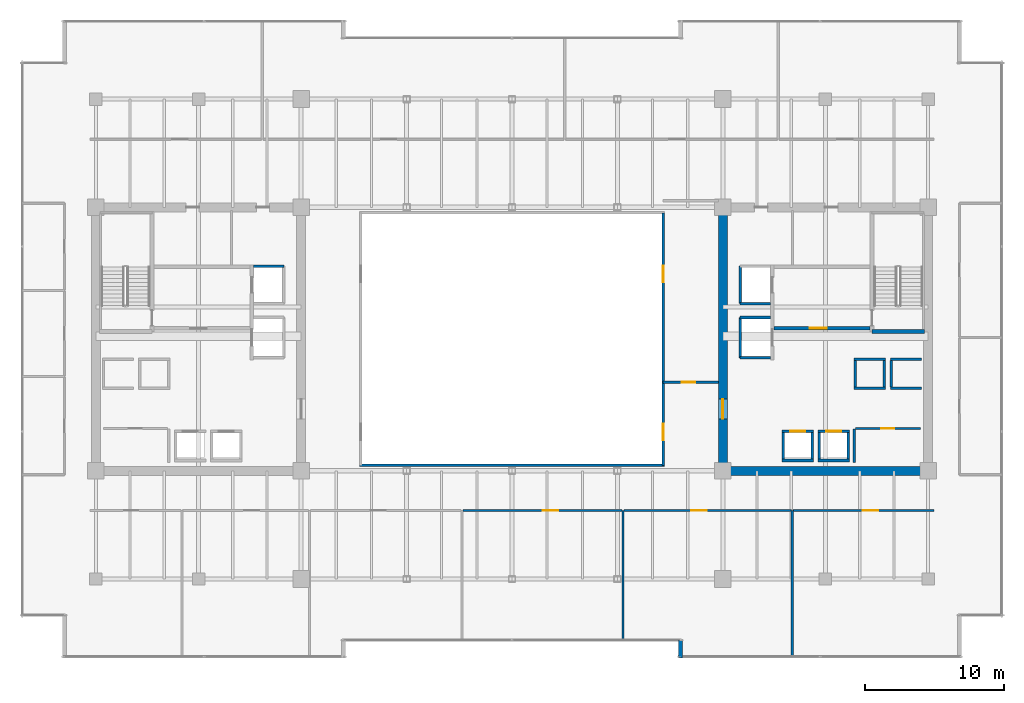
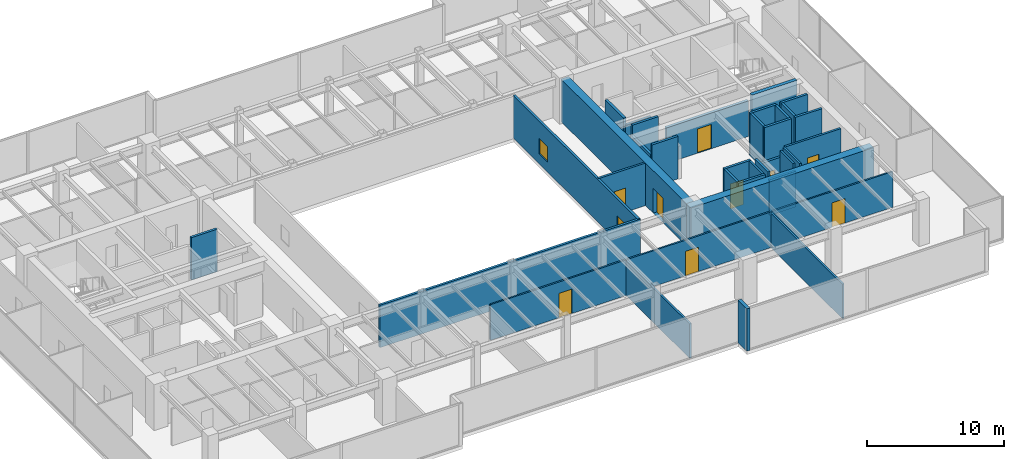
# One storey, part 26 of 30: 36 walls, 9 doors, 2 windows, 11 openings.
"""IFC4 building model written with IfcOpenShell, lengths in metres."""

from ifc_helpers import new_model, si_unit, direction, frame, frame_2d, origin, place, context, subcontext, project, spatial, rectangle, extrude, source, transform, mapped, material, layer, layer_set, type_object, type_shapes, element, fill, save


model = new_model("IFC4")

# Units and contexts
model_context = context("Model", 3, precision=1e-05, world=origin(), true_north=direction((0.0, 1.0)))
body_context = subcontext(model_context, "Body", "Model", "MODEL_VIEW")
ifc_project = project(units=[si_unit("LENGTHUNIT", "METRE"), si_unit("AREAUNIT", "SQUARE_METRE"), si_unit("VOLUMEUNIT", "CUBIC_METRE"), si_unit("PLANEANGLEUNIT", "RADIAN"), si_unit("MASSUNIT", "GRAM", prefix="KILO")], contexts=[model_context])

# Site, building, storey
site_placement = place(None, origin())
site = spatial("IfcSite", under=ifc_project, at=site_placement, CompositionType="ELEMENT")
building_placement = place(site_placement, origin())
building = spatial("IfcBuilding", under=site, at=building_placement, Name="Haelvirn Gate Laboratories", CompositionType="ELEMENT")
storey_placement = place(building_placement, frame((0.0, 0.0, 162.5)))
storey = spatial("IfcBuildingStorey", under=building, at=storey_placement, Name="L39", CompositionType="ELEMENT", Elevation=162.5)

# Walls
ifc_material_1 = material(Name="Thermally-broken bronze aluminium rainscreen & mineral wool", Category="aluminium")
ifc_layer_1 = layer(ifc_material_1, 0.280029296875, Name="EW-TERR-280")
ifc_layer_set_1 = layer_set([ifc_layer_1], Name="Thermally-broken bronze aluminium rainscreen & mineral wool")
wall_type_1 = type_object("IfcWallType", Name="EW-TERR-280", PredefinedType="STANDARD", material=ifc_layer_set_1)
wall_1_placement = place(storey_placement, frame((49.5400390625, 2.587890625, 0.0), z_axis=(0.0, 0.0, 1.0), x_axis=(0.0, -1.0, 0.0)))
element("IfcWall", 1, at=wall_1_placement, inside=storey, type_object=wall_type_1, Name="L39 Atrium Recess Bronze Return Wall 03", PredefinedType="STANDARD", context=body_context, shape_type="SweptSolid", body=[
    extrude(rectangle(XDim=1.287841796875, YDim=0.280029296875, at=frame_2d((0.64404296875, 0.0))), origin(), (0.0, 0.0, 1.0), 3.7900390625),
])
ifc_material_2 = material(Name="Double-layer acoustic gypsum laboratory partition", Category="gypsum")
ifc_layer_2 = layer(ifc_material_2, 0.159912109375, Name="IW-ACOUST-160")
ifc_layer_set_2 = layer_set([ifc_layer_2], Name="Double-layer acoustic gypsum laboratory partition")
wall_type_2 = type_object("IfcWallType", Name="IW-ACOUST-160", PredefinedType="PARTITIONING", material=ifc_layer_set_2)
wall_2_placement = place(storey_placement, frame((45.39990234375, 2.610107421875, 0.0), z_axis=(0.0, 0.0, 1.0), x_axis=(0.0, 1.0, 0.0)))
element("IfcWall", 2, at=wall_2_placement, inside=storey, type_object=wall_type_2, Name="L39 Interior Wall IW-L39-SDIV-04", PredefinedType="PARTITIONING", context=body_context, shape_type="SweptSolid", body=[
    extrude(rectangle(XDim=9.329833984375, YDim=0.159912109375, at=frame_2d((4.6650390625, 0.0))), origin(), (0.0, 0.0, 1.0), 3.074951171875),
])
wall_3_placement = place(storey_placement, frame((57.60009765625, 1.409912109375, 0.0), z_axis=(0.0, 0.0, 1.0), x_axis=(0.0, 1.0, 0.0)))
element("IfcWall", 3, at=wall_3_placement, inside=storey, type_object=wall_type_2, Name="L39 Interior Wall IW-L39-SDIV-05", PredefinedType="PARTITIONING", context=body_context, shape_type="SweptSolid", body=[
    extrude(rectangle(XDim=10.530029296875, YDim=0.159912109375, at=frame_2d((5.26513671875, 0.0))), origin(), (0.0, 0.0, 1.0), 3.074951171875),
])

# Wall, opening, door
ifc_material_3 = material(Name="Fire-rated acoustic gypsum board partition", Category="gypsum")
ifc_layer_3 = layer(ifc_material_3, 0.175048828125, Name="IW-ACOUST-180")
ifc_layer_set_3 = layer_set([ifc_layer_3], Name="Fire-rated acoustic gypsum board partition")
wall_type_3 = type_object("IfcWallType", Name="IW-ACOUST-180", PredefinedType="PARTITIONING", material=ifc_layer_set_3)
wall_4_placement = place(storey_placement, frame((48.300048828125, 21.179931640625, 0.0), z_axis=(0.0, 0.0, 1.0), x_axis=(1.0, 0.0, 0.0)))
wall_4 = element("IfcWall", 4, at=wall_4_placement, inside=storey, type_object=wall_type_3, Name="L39 Interior Wall IW-L39-ASEM-S", PredefinedType="PARTITIONING", context=body_context, shape_type="SweptSolid", body=[
    extrude(rectangle(XDim=3.974853515625, YDim=0.175048828125, at=frame_2d((1.9873046875, 0.0))), origin(), (0.0, 0.0, 1.0), 3.7900390625),
])
opening_1_placement = place(wall_4_placement, frame((1.35009765625, 0.0, 0.0)))
opening_1 = element("IfcOpeningElement", 5, at=opening_1_placement, cuts=wall_4, Name="Opening FD4", PredefinedType="OPENING", context=body_context, shape_type="SweptSolid", body=[
    extrude(rectangle(XDim=0.949951171875, YDim=2.14990234375, at=frame_2d((0.47509765625, 1.074951171875))), frame((0.0, 0.09765625, 0.0), z_axis=(0.0, -1.0, 0.0), x_axis=(1.0, 0.0, 0.0)), (0.0, 0.0, 1.0), 0.195068359375),
])
ifc_material_4 = material(Name="Fire-rated steel SM355 core service door", Category="steel")
door_type_1 = type_object("IfcDoorType", Name="DR-FD-950", OperationType="NOTDEFINED", PredefinedType="DOOR", material=ifc_material_4)
shared_shape_1 = source(origin(), body_context, "Body", "SweptSolid", [
    extrude(rectangle(XDim=0.949951171875, YDim=2.14990234375, at=frame_2d((0.47509765625, 1.074951171875))), frame((0.0, 0.02490234375, 0.0), z_axis=(0.0, -1.0, 0.0), x_axis=(1.0, 0.0, 0.0)), (0.0, 0.0, 1.0), 0.050048828125),
])
type_shapes(door_type_1, [shared_shape_1])
door_1_placement = place(opening_1_placement, origin())
door_1 = element("IfcDoor", 6, at=door_1_placement, inside=storey, type_object=door_type_1, Name="L39 Atrium Bioinformatics Suite Door", OperationType="SINGLE_SWING_LEFT", OverallHeight=2.14990234375, OverallWidth=0.949951171875, PredefinedType="DOOR", context=body_context, shape_type="MappedRepresentation", body=[
    mapped(shared_shape_1, transform((0.0, 0.0, 0.0), scale=1.0)),
])
fill(opening_1, door_1)

# Wall, openings, windows
ifc_material_5 = material(Name="Tempered fire-rated borosilicate glass & anodised aluminium", Category="aluminium")
ifc_layer_4 = layer(ifc_material_5, 0.195068359375, Name="IW-GLAZ-200")
ifc_layer_set_4 = layer_set([ifc_layer_4], Name="Tempered fire-rated borosilicate glass & anodised aluminium")
wall_type_4 = type_object("IfcWallType", Name="IW-GLAZ-200", PredefinedType="SOLIDWALL", material=ifc_layer_set_4)
wall_5_placement = place(storey_placement, frame((48.300048828125, 15.199951171875, 0.0), z_axis=(0.0, 0.0, 1.0), x_axis=(0.0, 1.0, 0.0)))
wall_5 = element("IfcWall", 7, at=wall_5_placement, inside=storey, type_object=wall_type_4, Name="L39 Interior Wall IW-L39-ATRIUM-E", PredefinedType="SOLIDWALL", context=body_context, shape_type="SweptSolid", body=[
    extrude(rectangle(XDim=18.199951171875, YDim=0.195068359375, at=frame_2d((9.10009765625, 0.0))), origin(), (0.0, 0.0, 1.0), 3.7900390625),
])
opening_2_placement = place(wall_5_placement, frame((1.800048828125, 0.0, 0.89990234375)))
opening_2 = element("IfcOpeningElement", 8, at=opening_2_placement, cuts=wall_5, Name="Opening W6", PredefinedType="OPENING", context=body_context, shape_type="SweptSolid", body=[
    extrude(rectangle(XDim=1.199951171875, YDim=1.35009765625, at=frame_2d((0.60009765625, 0.675048828125))), frame((0.0, 0.107421875, 0.0), z_axis=(0.0, -1.0, 0.0), x_axis=(1.0, 0.0, 0.0)), (0.0, 0.0, 1.0), 0.215087890625),
])
opening_3_placement = place(wall_5_placement, frame((13.199951171875, 0.0, 0.89990234375)))
opening_3 = element("IfcOpeningElement", 9, at=opening_3_placement, cuts=wall_5, Name="Opening W6", PredefinedType="OPENING", context=body_context, shape_type="SweptSolid", body=[
    extrude(rectangle(XDim=1.199951171875, YDim=1.35009765625, at=frame_2d((0.60009765625, 0.675048828125))), frame((0.0, 0.107421875, 0.0), z_axis=(0.0, -1.0, 0.0), x_axis=(1.0, 0.0, 0.0)), (0.0, 0.0, 1.0), 0.215087890625),
])
ifc_material_6 = material(Name="Fire-rated EI 120 borosilicate atrium vision glazing", Category="glass")
window_type = type_object("IfcWindowType", Name="WN-ATR-1200", PartitioningType="SINGLE_PANEL", PredefinedType="WINDOW", material=ifc_material_6)
shared_shape_2 = source(origin(), body_context, "Body", "SweptSolid", [
    extrude(rectangle(XDim=1.199951171875, YDim=1.35009765625, at=frame_2d((0.60009765625, 0.675048828125))), frame((0.0, 0.030029296875, 0.0), z_axis=(0.0, -1.0, 0.0), x_axis=(1.0, 0.0, 0.0)), (0.0, 0.0, 1.0), 0.06005859375),
])
type_shapes(window_type, [shared_shape_2])
window_1_placement = place(opening_2_placement, origin())
window_1 = element("IfcWindow", 10, at=window_1_placement, inside=storey, type_object=window_type, Name="L39 Atrium Observation Window 1", OverallHeight=1.35009765625, OverallWidth=1.199951171875, PartitioningType="SINGLE_PANEL", PredefinedType="WINDOW", context=body_context, shape_type="MappedRepresentation", body=[
    mapped(shared_shape_2, transform((0.0, 0.0, 0.0), scale=1.0)),
])
fill(opening_2, window_1)
window_2_placement = place(opening_3_placement, origin())
window_2 = element("IfcWindow", 11, at=window_2_placement, inside=storey, type_object=window_type, Name="L39 Atrium Observation Window 2", OverallHeight=1.35009765625, OverallWidth=1.199951171875, PartitioningType="SINGLE_PANEL", PredefinedType="WINDOW", context=body_context, shape_type="MappedRepresentation", body=[
    mapped(shared_shape_2, transform((0.0, 0.0, 0.0), scale=1.0)),
])
fill(opening_3, window_2)

# Wall
wall_6_placement = place(storey_placement, frame((26.39990234375, 15.199951171875, 0.0), z_axis=(0.0, 0.0, 1.0), x_axis=(1.0, 0.0, 0.0)))
element("IfcWall", 12, at=wall_6_placement, inside=storey, type_object=wall_type_4, Name="L39 Interior Wall IW-L39-ATRIUM-S", PredefinedType="SOLIDWALL", context=body_context, shape_type="SweptSolid", body=[
    extrude(rectangle(XDim=22.0, YDim=0.195068359375, at=frame_2d((11.0, 0.0))), origin(), (0.0, 0.0, 1.0), 3.7900390625),
])

# Wall, opening, door
ifc_material_7 = material(Name="Acoustic mineral-wool gypsum board partition", Category="gypsum")
ifc_layer_5 = layer(ifc_material_7, 0.139892578125, Name="IW-PART-140")
ifc_layer_set_5 = layer_set([ifc_layer_5], Name="Acoustic mineral-wool gypsum board partition")
wall_type_5 = type_object("IfcWallType", Name="IW-PART-140", PredefinedType="PARTITIONING", material=ifc_layer_set_5)
wall_7_placement = place(storey_placement, frame((33.8798828125, 11.93994140625, 0.0), z_axis=(0.0, 0.0, 1.0), x_axis=(1.0, 0.0, 0.0)))
wall_7 = element("IfcWall", 13, at=wall_7_placement, inside=storey, type_object=wall_type_5, Name="L39 Interior Wall IW-L39-SCORR-04", PredefinedType="PARTITIONING", context=body_context, shape_type="SweptSolid", body=[
    extrude(rectangle(XDim=11.440185546875, YDim=0.139892578125, at=frame_2d((5.72021484375, 0.0))), origin(), (0.0, 0.0, 1.0), 3.18701171875),
])
opening_4_placement = place(wall_7_placement, frame((5.748291015625, 0.0, 0.0)))
opening_4 = element("IfcOpeningElement", 14, at=opening_4_placement, cuts=wall_7, Name="Opening D1", PredefinedType="OPENING", context=body_context, shape_type="SweptSolid", body=[
    extrude(rectangle(XDim=1.10009765625, YDim=2.179931640625, at=frame_2d((0.550048828125, 1.08984375))), frame((0.0, 0.080078125, 0.0), z_axis=(0.0, -1.0, 0.0), x_axis=(1.0, 0.0, 0.0)), (0.0, 0.0, 1.0), 0.159912109375),
])
ifc_material_8 = material(Name="Vision-panel acoustic solid-core timber lab door", Category="wood")
door_type_2 = type_object("IfcDoorType", Name="DR-LAB-1100", OperationType="NOTDEFINED", PredefinedType="DOOR", material=ifc_material_8)
shared_shape_3 = source(origin(), body_context, "Body", "SweptSolid", [
    extrude(rectangle(XDim=1.10009765625, YDim=2.179931640625, at=frame_2d((0.550048828125, 1.08984375))), frame((0.0, 0.02490234375, 0.0), z_axis=(0.0, -1.0, 0.0), x_axis=(1.0, 0.0, 0.0)), (0.0, 0.0, 1.0), 0.050048828125),
])
type_shapes(door_type_2, [shared_shape_3])
door_2_placement = place(opening_4_placement, origin())
door_2 = element("IfcDoor", 15, at=door_2_placement, inside=storey, type_object=door_type_2, Name="L39 Colloquium Conference Room Door S4", OperationType="SINGLE_SWING_LEFT", OverallHeight=2.179931640625, OverallWidth=1.10009765625, PredefinedType="DOOR", context=body_context, shape_type="MappedRepresentation", body=[
    mapped(shared_shape_3, transform((0.0, 0.0, 0.0), scale=1.0)),
])
fill(opening_4, door_2)

wall_8_placement = place(storey_placement, frame((45.47998046875, 11.93994140625, 0.0), z_axis=(0.0, 0.0, 1.0), x_axis=(1.0, 0.0, 0.0)))
wall_8 = element("IfcWall", 16, at=wall_8_placement, inside=storey, type_object=wall_type_5, Name="L39 Interior Wall IW-L39-SCORR-05", PredefinedType="PARTITIONING", context=body_context, shape_type="SweptSolid", body=[
    extrude(rectangle(XDim=12.0400390625, YDim=0.139892578125, at=frame_2d((6.02001953125, 0.0))), origin(), (0.0, 0.0, 1.0), 3.18701171875),
])
opening_5_placement = place(wall_8_placement, frame((4.855712890625, 0.0, 0.0)))
opening_5 = element("IfcOpeningElement", 17, at=opening_5_placement, cuts=wall_8, Name="Opening D1", PredefinedType="OPENING", context=body_context, shape_type="SweptSolid", body=[
    extrude(rectangle(XDim=1.10009765625, YDim=2.179931640625, at=frame_2d((0.550048828125, 1.08984375))), frame((0.0, 0.080078125, 0.0), z_axis=(0.0, -1.0, 0.0), x_axis=(1.0, 0.0, 0.0)), (0.0, 0.0, 1.0), 0.159912109375),
])
door_3_placement = place(opening_5_placement, origin())
door_3 = element("IfcDoor", 18, at=door_3_placement, inside=storey, type_object=door_type_2, Name="L39 Protocol Briefing Training Room Door S5", OperationType="SINGLE_SWING_RIGHT", OverallHeight=2.179931640625, OverallWidth=1.10009765625, PredefinedType="DOOR", context=body_context, shape_type="MappedRepresentation", body=[
    mapped(shared_shape_3, transform((0.0, 0.0, 0.0), scale=1.0)),
])
fill(opening_5, door_3)

wall_9_placement = place(storey_placement, frame((57.679931640625, 11.93994140625, 0.0), z_axis=(0.0, 0.0, 1.0), x_axis=(1.0, 0.0, 0.0)))
wall_9 = element("IfcWall", 19, at=wall_9_placement, inside=storey, type_object=wall_type_5, Name="L39 Interior Wall IW-L39-SCORR-06", PredefinedType="PARTITIONING", context=body_context, shape_type="SweptSolid", body=[
    extrude(rectangle(XDim=10.14013671875, YDim=0.139892578125, at=frame_2d((5.070068359375, 0.0))), origin(), (0.0, 0.0, 1.0), 3.18701171875),
])
opening_6_placement = place(wall_9_placement, frame((5.0205078125, 0.0, 0.0)))
opening_6 = element("IfcOpeningElement", 20, at=opening_6_placement, cuts=wall_9, Name="Opening D1", PredefinedType="OPENING", context=body_context, shape_type="SweptSolid", body=[
    extrude(rectangle(XDim=1.10009765625, YDim=2.179931640625, at=frame_2d((0.550048828125, 1.08984375))), frame((0.0, 0.080078125, 0.0), z_axis=(0.0, -1.0, 0.0), x_axis=(1.0, 0.0, 0.0)), (0.0, 0.0, 1.0), 0.159912109375),
])
door_4_placement = place(opening_6_placement, origin())
door_4 = element("IfcDoor", 21, at=door_4_placement, inside=storey, type_object=door_type_2, Name="L39 Peer-Review Seminar Room Door S6", OperationType="SINGLE_SWING_LEFT", OverallHeight=2.179931640625, OverallWidth=1.10009765625, PredefinedType="DOOR", context=body_context, shape_type="MappedRepresentation", body=[
    mapped(shared_shape_3, transform((0.0, 0.0, 0.0), scale=1.0)),
])
fill(opening_6, door_4)

# Walls
ifc_material_9 = material(Name="Concrete C40/50", Category="concrete")
ifc_layer_6 = layer(ifc_material_9, 0.179931640625, Name="IW-SHAFT-180")
ifc_layer_set_6 = layer_set([ifc_layer_6], Name="Concrete C40/50")
wall_type_6 = type_object("IfcWallType", Name="IW-SHAFT-180", PredefinedType="SOLIDWALL", material=ifc_layer_set_6)
for number, where, z_axis, x_axis, name in (
    (22, (59.550048828125, 15.64990234375, 0.0), (0.0, 0.0, 1.0), (0.0, 1.0, 0.0), "L39 Interior Wall IW-L39-PL7-SD"),
    (23, (61.64990234375, 15.64990234375, 0.0), (0.0, 0.0, 1.0), (0.0, 1.0, 0.0), "L39 Interior Wall IW-L39-PL7-SDE"),
    (24, (56.949951171875, 15.64990234375, 0.0), (0.0, 0.0, 1.0), (0.0, 1.0, 0.0), "L39 Interior Wall IW-L39-PL8-SD"),
    (25, (59.050048828125, 15.64990234375, 0.0), (0.0, 0.0, 1.0), (0.0, 1.0, 0.0), "L39 Interior Wall IW-L39-PL8-SDE"),
):
    element("IfcWall", number, at=place(storey_placement, frame(where, z_axis=z_axis, x_axis=x_axis)), inside=storey, type_object=wall_type_6, Name=name, PredefinedType="SOLIDWALL", context=body_context, shape_type="SweptSolid", body=[
        extrude(rectangle(XDim=1.900146484375, YDim=0.179931640625, at=frame_2d((0.9501953125, 0.0))), origin(), (0.0, 0.0, 1.0), 3.7900390625),
    ])
for number, where, z_axis, x_axis, name in (
    (26, (64.75, 20.85009765625, 0.0), (0.0, 0.0, 1.0), (0.0, 1.0, 0.0), "L39 Interior Wall IW-L39-PL11-SD"),
    (27, (62.14990234375, 20.85009765625, 0.0), (0.0, 0.0, 1.0), (0.0, 1.0, 0.0), "L39 Interior Wall IW-L39-PL12-SD"),
    (28, (64.25, 20.85009765625, 0.0), (0.0, 0.0, 1.0), (0.0, 1.0, 0.0), "L39 Interior Wall IW-L39-PL12-SDE"),
):
    element("IfcWall", number, at=place(storey_placement, frame(where, z_axis=z_axis, x_axis=x_axis)), inside=storey, type_object=wall_type_6, Name=name, PredefinedType="SOLIDWALL", context=body_context, shape_type="SweptSolid", body=[
        extrude(rectangle(XDim=1.89990234375, YDim=0.179931640625, at=frame_2d((0.949951171875, 0.0))), origin(), (0.0, 0.0, 1.0), 3.7900390625),
    ])

# Wall, opening, door
wall_10_placement = place(storey_placement, frame((62.14990234375, 17.85009765625, 0.0), z_axis=(0.0, 0.0, 1.0), x_axis=(1.0, 0.0, 0.0)))
wall_10 = element("IfcWall", 29, at=wall_10_placement, inside=storey, type_object=wall_type_6, Name="L39 Interior Wall IW-L39-E-FREED-LN-1", PredefinedType="SOLIDWALL", context=body_context, shape_type="SweptSolid", body=[
    extrude(rectangle(XDim=4.7001953125, YDim=0.179931640625, at=frame_2d((2.35009765625, 0.0))), origin(), (0.0, 0.0, 1.0), 3.7900390625),
])
opening_7_placement = place(wall_10_placement, frame((1.875, 0.0, 0.0)))
opening_7 = element("IfcOpeningElement", 30, at=opening_7_placement, cuts=wall_10, Name="Opening FD4", PredefinedType="OPENING", context=body_context, shape_type="SweptSolid", body=[
    extrude(rectangle(XDim=0.949951171875, YDim=2.14990234375, at=frame_2d((0.47509765625, 1.074951171875))), frame((0.0, 0.10009765625, 0.0), z_axis=(0.0, -1.0, 0.0), x_axis=(1.0, 0.0, 0.0)), (0.0, 0.0, 1.0), 0.199951171875),
])
door_5_placement = place(opening_7_placement, origin())
door_5 = element("IfcDoor", 31, at=door_5_placement, inside=storey, type_object=door_type_1, Name="L39 Cryogenic Specimen Biobank Door", OperationType="SINGLE_SWING_LEFT", OverallHeight=2.14990234375, OverallWidth=0.949951171875, PredefinedType="DOOR", context=body_context, shape_type="MappedRepresentation", body=[
    mapped(shared_shape_1, transform((0.0, 0.0, 0.0), scale=1.0)),
])
fill(opening_7, door_5)

# Walls
wall_11_placement = place(storey_placement, frame((62.06005859375, 15.39990234375, 0.0), z_axis=(0.0, 0.0, 1.0), x_axis=(0.0, 1.0, 0.0)))
element("IfcWall", 32, at=wall_11_placement, inside=storey, type_object=wall_type_6, Name="L39 Interior Wall IW-L39-E-FREED-LE-1", PredefinedType="SOLIDWALL", context=body_context, shape_type="SweptSolid", body=[
    extrude(rectangle(XDim=2.400146484375, YDim=0.179931640625, at=frame_2d((1.2001953125, 0.0))), origin(), (0.0, 0.0, 1.0), 3.7900390625),
])
ifc_layer_7 = layer(ifc_material_9, 0.199951171875, Name="IW-SHAFT-200")
ifc_layer_set_7 = layer_set([ifc_layer_7], Name="Concrete C40/50")
wall_type_7 = type_object("IfcWallType", Name="IW-SHAFT-200", PredefinedType="SOLIDWALL", material=ifc_layer_set_7)
wall_12_placement = place(storey_placement, frame((18.760009765625, 29.550048828125, 0.0), z_axis=(0.0, 0.0, 1.0), x_axis=(1.0, 0.0, 0.0)))
element("IfcWall", 33, at=wall_12_placement, inside=storey, type_object=wall_type_7, Name="L39 Interior Wall IW-L39-FL1-N", PredefinedType="SOLIDWALL", context=body_context, shape_type="SweptSolid", body=[
    extrude(rectangle(XDim=2.18994140625, YDim=0.199951171875, at=frame_2d((1.094970703125, 0.0))), origin(), (0.0, 0.0, 1.0), 3.7900390625),
])

# Wall, opening, door
wall_13_placement = place(storey_placement, frame((59.469970703125, 17.64990234375, 0.0), z_axis=(0.0, 0.0, 1.0), x_axis=(1.0, 0.0, 0.0)))
wall_13 = element("IfcWall", 34, at=wall_13_placement, inside=storey, type_object=wall_type_7, Name="L39 Interior Wall IW-L39-PL7-FR", PredefinedType="SOLIDWALL", context=body_context, shape_type="SweptSolid", body=[
    extrude(rectangle(XDim=2.260009765625, YDim=0.199951171875, at=frame_2d((1.1298828125, 0.0))), origin(), (0.0, 0.0, 1.0), 3.18701171875),
])
opening_8_placement = place(wall_13_placement, frame((0.580078125, 0.0, 0.0)))
opening_8 = element("IfcOpeningElement", 35, at=opening_8_placement, cuts=wall_13, Name="Opening LD2", PredefinedType="OPENING", context=body_context, shape_type="SweptSolid", body=[
    extrude(rectangle(XDim=1.10009765625, YDim=2.219970703125, at=frame_2d((0.550048828125, 1.10986328125))), frame((0.0, 0.10986328125, 0.0), z_axis=(0.0, -1.0, 0.0), x_axis=(1.0, 0.0, 0.0)), (0.0, 0.0, 1.0), 0.219970703125),
])
ifc_material_10 = material(Name="Bronze stainless 316L sliding lift landing door")
door_type_3 = type_object("IfcDoorType", Name="DR-LD-1100", OperationType="NOTDEFINED", PredefinedType="USERDEFINED", material=ifc_material_10)
shared_shape_4 = source(origin(), body_context, "Body", "SweptSolid", [
    extrude(rectangle(XDim=1.10009765625, YDim=2.219970703125, at=frame_2d((0.550048828125, 1.10986328125))), frame((0.0, 0.02490234375, 0.0), z_axis=(0.0, -1.0, 0.0), x_axis=(1.0, 0.0, 0.0)), (0.0, 0.0, 1.0), 0.050048828125),
])
type_shapes(door_type_3, [shared_shape_4])
door_6_placement = place(opening_8_placement, origin())
door_6 = element("IfcDoor", 36, at=door_6_placement, inside=storey, type_object=door_type_3, Name="L39 Passenger Lift PL7 Landing Door", ObjectType="LANDING_DOOR", OperationType="SLIDING_TO_LEFT", OverallHeight=2.219970703125, OverallWidth=1.10009765625, PredefinedType="USERDEFINED", context=body_context, shape_type="MappedRepresentation", body=[
    mapped(shared_shape_4, transform((0.0, 0.0, 0.0), scale=1.0)),
])
fill(opening_8, door_6)

# Wall
wall_14_placement = place(storey_placement, frame((59.469970703125, 15.550048828125, 0.0), z_axis=(0.0, 0.0, 1.0), x_axis=(1.0, 0.0, 0.0)))
element("IfcWall", 37, at=wall_14_placement, inside=storey, type_object=wall_type_7, Name="L39 Interior Wall IW-L39-PL7-BK", PredefinedType="SOLIDWALL", context=body_context, shape_type="SweptSolid", body=[
    extrude(rectangle(XDim=2.260009765625, YDim=0.199951171875, at=frame_2d((1.1298828125, 0.0))), origin(), (0.0, 0.0, 1.0), 3.18701171875),
])

# Wall, opening, door
wall_15_placement = place(storey_placement, frame((56.8701171875, 17.64990234375, 0.0), z_axis=(0.0, 0.0, 1.0), x_axis=(1.0, 0.0, 0.0)))
wall_15 = element("IfcWall", 38, at=wall_15_placement, inside=storey, type_object=wall_type_7, Name="L39 Interior Wall IW-L39-PL8-FR", PredefinedType="SOLIDWALL", context=body_context, shape_type="SweptSolid", body=[
    extrude(rectangle(XDim=2.259765625, YDim=0.199951171875, at=frame_2d((1.1298828125, 0.0))), origin(), (0.0, 0.0, 1.0), 3.7900390625),
])
opening_9_placement = place(wall_15_placement, frame((0.580078125, 0.0, 0.0)))
opening_9 = element("IfcOpeningElement", 39, at=opening_9_placement, cuts=wall_15, Name="Opening LD2", PredefinedType="OPENING", context=body_context, shape_type="SweptSolid", body=[
    extrude(rectangle(XDim=1.10009765625, YDim=2.219970703125, at=frame_2d((0.550048828125, 1.10986328125))), frame((0.0, 0.10986328125, 0.0), z_axis=(0.0, -1.0, 0.0), x_axis=(1.0, 0.0, 0.0)), (0.0, 0.0, 1.0), 0.219970703125),
])
door_7_placement = place(opening_9_placement, origin())
door_7 = element("IfcDoor", 40, at=door_7_placement, inside=storey, type_object=door_type_3, Name="L39 Passenger Lift PL8 Landing Door", ObjectType="LANDING_DOOR", OperationType="SLIDING_TO_RIGHT", OverallHeight=2.219970703125, OverallWidth=1.10009765625, PredefinedType="USERDEFINED", context=body_context, shape_type="MappedRepresentation", body=[
    mapped(shared_shape_4, transform((0.0, 0.0, 0.0), scale=1.0)),
])
fill(opening_9, door_7)

# Walls
wall_16_placement = place(storey_placement, frame((56.8701171875, 15.550048828125, 0.0), z_axis=(0.0, 0.0, 1.0), x_axis=(1.0, 0.0, 0.0)))
element("IfcWall", 41, at=wall_16_placement, inside=storey, type_object=wall_type_7, Name="L39 Interior Wall IW-L39-PL8-BK", PredefinedType="SOLIDWALL", context=body_context, shape_type="SweptSolid", body=[
    extrude(rectangle(XDim=2.259765625, YDim=0.199951171875, at=frame_2d((1.1298828125, 0.0))), origin(), (0.0, 0.0, 1.0), 3.7900390625),
])
for number, where, z_axis, x_axis, name in (
    (42, (64.669921875, 20.75, 0.0), (0.0, 0.0, 1.0), (1.0, 0.0, 0.0), "L39 Interior Wall IW-L39-PL11-FR"),
    (43, (64.669921875, 22.85009765625, 0.0), (0.0, 0.0, 1.0), (1.0, 0.0, 0.0), "L39 Interior Wall IW-L39-PL11-BK"),
    (44, (62.070068359375, 20.75, 0.0), (0.0, 0.0, 1.0), (1.0, 0.0, 0.0), "L39 Interior Wall IW-L39-PL12-FR"),
    (45, (62.070068359375, 22.85009765625, 0.0), (0.0, 0.0, 1.0), (1.0, 0.0, 0.0), "L39 Interior Wall IW-L39-PL12-BK"),
):
    element("IfcWall", number, at=place(storey_placement, frame(where, z_axis=z_axis, x_axis=x_axis)), inside=storey, type_object=wall_type_7, Name=name, PredefinedType="SOLIDWALL", context=body_context, shape_type="SweptSolid", body=[
        extrude(rectangle(XDim=2.260009765625, YDim=0.199951171875, at=frame_2d((1.1298828125, 0.0))), origin(), (0.0, 0.0, 1.0), 3.7900390625),
    ])
wall_17_placement = place(storey_placement, frame((53.85009765625, 26.85009765625, 0.0), z_axis=(0.0, 0.0, 1.0), x_axis=(0.0, 1.0, 0.0)))
element("IfcWall", 46, at=wall_17_placement, inside=storey, type_object=wall_type_7, Name="L39 Interior Wall IW-L39-FL2-BK", PredefinedType="SOLIDWALL", context=body_context, shape_type="SweptSolid", body=[
    extrude(rectangle(XDim=2.699951171875, YDim=0.199951171875, at=frame_2d((1.35009765625, 0.0))), origin(), (0.0, 0.0, 1.0), 3.7900390625),
])
wall_18_placement = place(storey_placement, frame((53.85009765625, 26.85009765625, 0.0), z_axis=(0.0, 0.0, 1.0), x_axis=(1.0, 0.0, 0.0)))
element("IfcWall", 47, at=wall_18_placement, inside=storey, type_object=wall_type_7, Name="L39 Interior Wall IW-L39-FL2-S", PredefinedType="SOLIDWALL", context=body_context, shape_type="SweptSolid", body=[
    extrude(rectangle(XDim=2.18994140625, YDim=0.199951171875, at=frame_2d((1.094970703125, 0.0))), origin(), (0.0, 0.0, 1.0), 3.18701171875),
])
wall_19_placement = place(storey_placement, frame((53.85009765625, 22.949951171875, 0.0), z_axis=(0.0, 0.0, 1.0), x_axis=(0.0, 1.0, 0.0)))
element("IfcWall", 48, at=wall_19_placement, inside=storey, type_object=wall_type_7, Name="L39 Interior Wall IW-L39-SL2-BK", PredefinedType="SOLIDWALL", context=body_context, shape_type="SweptSolid", body=[
    extrude(rectangle(XDim=2.900146484375, YDim=0.199951171875, at=frame_2d((1.4501953125, 0.0))), origin(), (0.0, 0.0, 1.0), 2.925048828125),
])
for number, where, z_axis, x_axis, name in (
    (49, (53.85009765625, 25.85009765625, 0.0), (0.0, 0.0, 1.0), (1.0, 0.0, 0.0), "L39 Interior Wall IW-L39-SL2-N"),
    (50, (53.85009765625, 22.949951171875, 0.0), (0.0, 0.0, 1.0), (1.0, 0.0, 0.0), "L39 Interior Wall IW-L39-SL2-S"),
):
    element("IfcWall", number, at=place(storey_placement, frame(where, z_axis=z_axis, x_axis=x_axis)), inside=storey, type_object=wall_type_7, Name=name, PredefinedType="SOLIDWALL", context=body_context, shape_type="SweptSolid", body=[
        extrude(rectangle(XDim=2.18994140625, YDim=0.199951171875, at=frame_2d((1.094970703125, 0.0))), origin(), (0.0, 0.0, 1.0), 3.7900390625),
    ])

# Wall, opening, door
ifc_layer_8 = layer(ifc_material_9, 0.239990234375, Name="IW-SHAFT-240")
ifc_layer_set_8 = layer_set([ifc_layer_8], Name="Concrete C40/50")
wall_type_8 = type_object("IfcWallType", Name="IW-SHAFT-240", PredefinedType="SOLIDWALL", material=ifc_layer_set_8)
wall_20_placement = place(storey_placement, frame((56.280029296875, 25.080078125, 0.0), z_axis=(0.0, 0.0, 1.0), x_axis=(1.0, 0.0, 0.0)))
wall_20 = element("IfcWall", 51, at=wall_20_placement, inside=storey, type_object=wall_type_8, Name="L39 Interior Wall IW-L39-E-FF-S", PredefinedType="SOLIDWALL", context=body_context, shape_type="SweptSolid", body=[
    extrude(rectangle(XDim=6.919921875, YDim=0.239990234375, at=frame_2d((3.4599609375, 0.0))), origin(), (0.0, 0.0, 1.0), 3.18701171875),
])
opening_10_placement = place(wall_20_placement, frame((2.60009765625, 0.0, 0.0)))
opening_10 = element("IfcOpeningElement", 52, at=opening_10_placement, cuts=wall_20, Name="Opening FD2", PredefinedType="OPENING", context=body_context, shape_type="SweptSolid", body=[
    extrude(rectangle(XDim=1.199951171875, YDim=2.159912109375, at=frame_2d((0.60009765625, 1.080078125))), frame((0.0, 0.1298828125, 0.0), z_axis=(0.0, -1.0, 0.0), x_axis=(1.0, 0.0, 0.0)), (0.0, 0.0, 1.0), 0.260009765625),
])
ifc_material_11 = material(Name="Fire-rated steel SM355 compartment door", Category="steel")
door_type_4 = type_object("IfcDoorType", Name="DR-FD-1200", OperationType="NOTDEFINED", PredefinedType="DOOR", material=ifc_material_11)
shared_shape_5 = source(origin(), body_context, "Body", "SweptSolid", [
    extrude(rectangle(XDim=1.199951171875, YDim=2.159912109375, at=frame_2d((0.60009765625, 1.080078125))), frame((0.0, 0.02490234375, 0.0), z_axis=(0.0, -1.0, 0.0), x_axis=(1.0, 0.0, 0.0)), (0.0, 0.0, 1.0), 0.050048828125),
])
type_shapes(door_type_4, [shared_shape_5])
door_8_placement = place(opening_10_placement, origin())
door_8 = element("IfcDoor", 53, at=door_8_placement, inside=storey, type_object=door_type_4, Name="L39 East Firefighting Lobby Door", OperationType="SINGLE_SWING_LEFT", OverallHeight=2.159912109375, OverallWidth=1.199951171875, PredefinedType="DOOR", context=body_context, shape_type="MappedRepresentation", body=[
    mapped(shared_shape_5, transform((0.0, 0.0, 0.0), scale=1.0)),
])
fill(opening_10, door_8)

# Wall
ifc_material_12 = material(Name="Concrete C60/75", Category="concrete")
ifc_layer_9 = layer(ifc_material_12, 0.64990234375, Name="SW-CORE-650")
ifc_layer_set_9 = layer_set([ifc_layer_9], Name="Concrete C60/75")
wall_type_9 = type_object("IfcWallType", Name="SW-CORE-650", PredefinedType="SHEAR", material=ifc_layer_set_9)
wall_21_placement = place(storey_placement, frame((52.27490234375, 14.800048828125, 0.0), z_axis=(0.0, 0.0, 1.0), x_axis=(1.0, 0.0, 0.0)))
element("IfcWall", 54, at=wall_21_placement, inside=storey, type_object=wall_type_9, Name="L39 E Core Shear Wall S", PredefinedType="SHEAR", context=body_context, shape_type="SweptSolid", body=[
    extrude(rectangle(XDim=15.4501953125, YDim=0.64990234375, at=frame_2d((7.72509765625, 0.0))), origin(), (0.0, 0.0, 1.0), 3.7900390625),
])

# Wall, opening, door
wall_22_placement = place(storey_placement, frame((52.60009765625, 15.125, 0.0), z_axis=(0.0, 0.0, 1.0), x_axis=(0.0, 1.0, 0.0)))
wall_22 = element("IfcWall", 55, at=wall_22_placement, inside=storey, type_object=wall_type_9, Name="L39 E Core Shear Wall W", PredefinedType="SHEAR", context=body_context, shape_type="SweptSolid", body=[
    extrude(rectangle(XDim=18.35009765625, YDim=0.64990234375, at=frame_2d((9.175048828125, 0.0))), origin(), (0.0, 0.0, 1.0), 3.7900390625),
])
opening_11_placement = place(wall_22_placement, frame((3.425048828125, 0.0, 0.0)))
opening_11 = element("IfcOpeningElement", 56, at=opening_11_placement, cuts=wall_22, Name="Opening FD1", PredefinedType="OPENING", context=body_context, shape_type="SweptSolid", body=[
    extrude(rectangle(XDim=1.419921875, YDim=2.199951171875, at=frame_2d((0.7099609375, 1.10009765625))), frame((0.0, 0.3349609375, 0.0), z_axis=(0.0, -1.0, 0.0), x_axis=(1.0, 0.0, 0.0)), (0.0, 0.0, 1.0), 0.669921875),
])
ifc_material_13 = material(Name="Fire-rated double steel SM355 lobby door", Category="steel")
door_type_5 = type_object("IfcDoorType", Name="DR-FD-1400", OperationType="NOTDEFINED", PredefinedType="DOOR", material=ifc_material_13)
shared_shape_6 = source(origin(), body_context, "Body", "SweptSolid", [
    extrude(rectangle(XDim=1.419921875, YDim=2.199951171875, at=frame_2d((0.7099609375, 1.10009765625))), frame((0.0, 0.02490234375, 0.0), z_axis=(0.0, -1.0, 0.0), x_axis=(1.0, 0.0, 0.0)), (0.0, 0.0, 1.0), 0.050048828125),
])
type_shapes(door_type_5, [shared_shape_6])
door_9_placement = place(opening_11_placement, origin())
door_9 = element("IfcDoor", 57, at=door_9_placement, inside=storey, type_object=door_type_5, Name="L39 East Core Lift Lobby Fire Door", OperationType="DOUBLE_DOOR_SINGLE_SWING", OverallHeight=2.199951171875, OverallWidth=1.419921875, PredefinedType="DOOR", context=body_context, shape_type="MappedRepresentation", body=[
    mapped(shared_shape_6, transform((0.0, 0.0, 0.0), scale=1.0)),
])
fill(opening_11, door_9)

# Wall
ifc_material_14 = material(Name="Concrete C50/60", Category="concrete")
ifc_layer_10 = layer(ifc_material_14, 0.300048828125, Name="SW-STAIR-300")
ifc_layer_set_10 = layer_set([ifc_layer_10], Name="Concrete C50/60")
wall_type_10 = type_object("IfcWallType", Name="SW-STAIR-300", PredefinedType="SHEAR", material=ifc_layer_set_10)
wall_23_placement = place(storey_placement, frame((63.35009765625, 24.85009765625, 0.0), z_axis=(0.0, 0.0, 1.0), x_axis=(1.0, 0.0, 0.0)))
element("IfcWall", 58, at=wall_23_placement, inside=storey, type_object=wall_type_10, Name="L39 E Core Stair Shaft Structural Wall S", PredefinedType="SHEAR", context=body_context, shape_type="SweptSolid", body=[
    extrude(rectangle(XDim=3.7998046875, YDim=0.300048828125, at=frame_2d((1.89990234375, 0.0))), origin(), (0.0, 0.0, 1.0), 3.7900390625),
])

save(model, "model.ifc")
